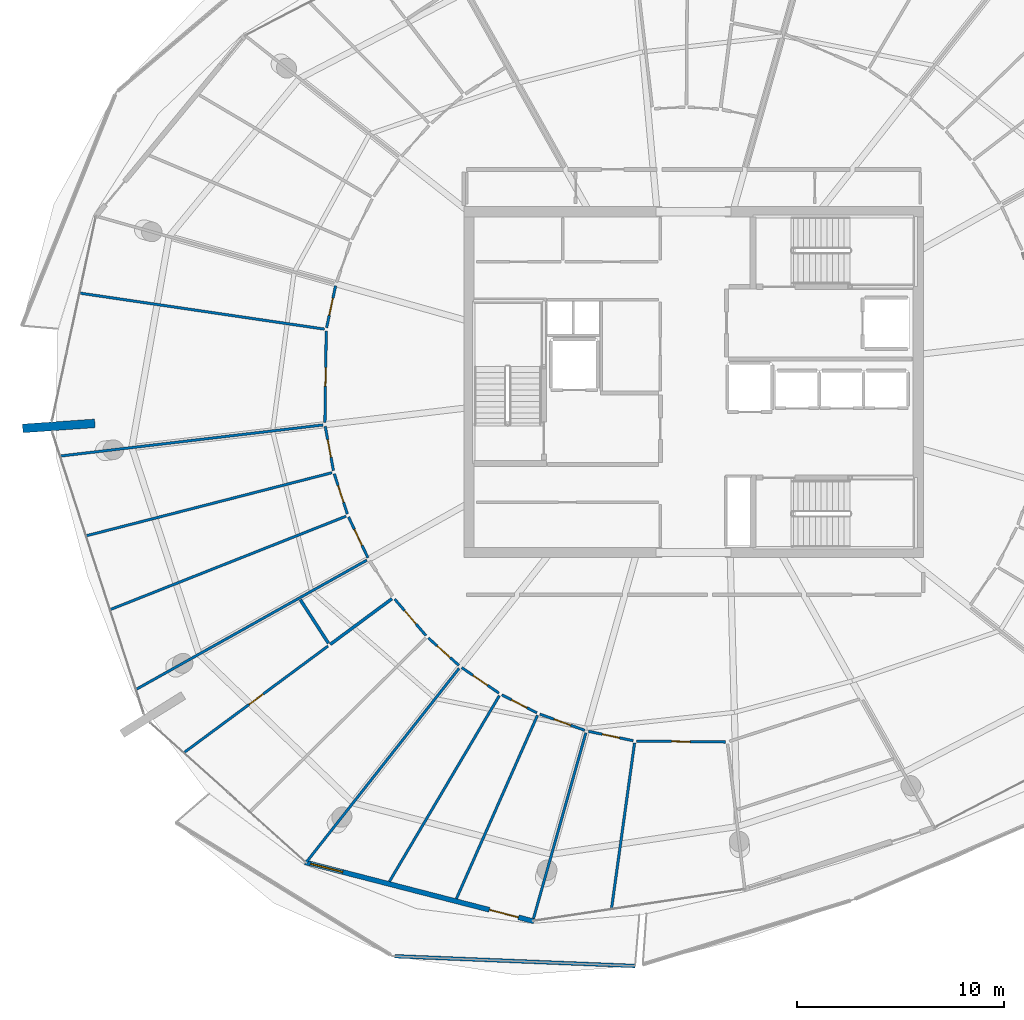
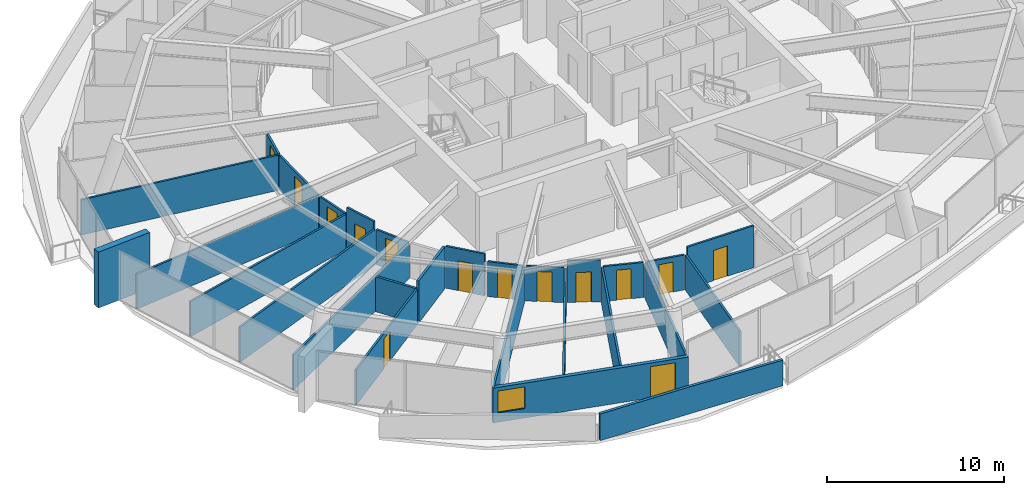
# One storey, part 18 of 30: 28 walls, 14 doors, 1 window, 15 openings.
"""IFC4 building model written with IfcOpenShell, lengths in metres."""

import ifcopenshell
import ifcopenshell.guid

model = None  # the IFC model being written
_history = None  # IfcOwnerHistory: only IFC2X3 demands one
_inside = {}  # id of a spatial element -> (the spatial element, [elements in it])
_under = {}  # id of a project, library or spatial element -> (it, [spatial elements below it])
_declared = {}  # id of a project -> (the project, [libraries it declares])
_typed = {}  # id of a type object -> (the type object, [elements of that type])
_made_of = {}  # id of a material, layer set ... -> (it, [elements and type objects made of it])


def new_model(schema):
    """Start an empty IFC model of exactly this schema.

    Asked for "IFC4X3", IfcOpenShell would pick the latest addendum, in which some entities
    have other attributes; the version numbers below select the first issue.
    IFC2X3 requires an IfcOwnerHistory on every rooted entity: one is made here for all.
    """
    global model, _history
    if schema == "IFC4X3":
        model = ifcopenshell.file(schema_version=(4, 3, 0, 0))
    else:
        model = ifcopenshell.file(schema=schema)
    _inside.clear()
    _under.clear()
    _declared.clear()
    _typed.clear()
    _made_of.clear()
    _history = None
    if model.schema == "IFC2X3":
        org = make("IfcOrganization", Name="unknown")
        user = make(
            "IfcPersonAndOrganization",
            ThePerson=make("IfcPerson", FamilyName="unknown"),
            TheOrganization=org,
        )
        app = make(
            "IfcApplication",
            ApplicationDeveloper=org,
            Version="unknown",
            ApplicationFullName="unknown",
            ApplicationIdentifier="unknown",
        )
        _history = make(
            "IfcOwnerHistory",
            OwningUser=user,
            OwningApplication=app,
            ChangeAction="ADDED",
            CreationDate=0,
        )
    return model


def make(cls, **values):
    """One entity of the class cls with the attributes given. An attribute that is None is left unset."""
    return model.create_entity(
        cls, **{name: value for name, value in values.items() if value is not None}
    )


def rooted(cls, **values):
    """An entity with a GlobalId (a new one), such as an element, a storey or a relation."""
    return make(cls, GlobalId=ifcopenshell.guid.new(), OwnerHistory=_history, **values)


def si_unit(unit_type, name, prefix=None):
    """IfcSIUnit, for example si_unit("LENGTHUNIT", "METRE", prefix="MILLI")."""
    return make("IfcSIUnit", UnitType=unit_type, Prefix=prefix, Name=name)


def assignment(units):
    """IfcUnitAssignment: the units of a project."""
    return None if units is None else make("IfcUnitAssignment", Units=units)


def point(xyz):
    """IfcCartesianPoint."""
    return None if xyz is None else make("IfcCartesianPoint", Coordinates=xyz)


def direction(xyz):
    """IfcDirection."""
    return None if xyz is None else make("IfcDirection", DirectionRatios=xyz)


def frame(location, z_axis=None, x_axis=None):
    """IfcAxis2Placement3D, a coordinate frame: its origin and axes. An axis left out is left unset."""
    return make(
        "IfcAxis2Placement3D",
        Location=point(location),
        Axis=direction(z_axis),
        RefDirection=direction(x_axis),
    )


def frame_2d(location, x_axis=None):
    """IfcAxis2Placement2D, a coordinate frame in the plane: its origin and x axis."""
    return make(
        "IfcAxis2Placement2D", Location=point(location), RefDirection=direction(x_axis)
    )


def origin():
    """The frame at (0, 0, 0) with its axes left unset."""
    return frame((0.0, 0.0, 0.0))


def place(relative_to, where):
    """IfcLocalPlacement: puts the frame where relative to a parent placement (None: the world)."""
    return make(
        "IfcLocalPlacement", PlacementRelTo=relative_to, RelativePlacement=where
    )


def context(
    kind, dimensions, precision=None, world=None, true_north=None, identifier=None
):
    """IfcGeometricRepresentationContext, for example the 3D "Model" context."""
    return make(
        "IfcGeometricRepresentationContext",
        ContextIdentifier=identifier,
        ContextType=kind,
        CoordinateSpaceDimension=dimensions,
        Precision=precision,
        WorldCoordinateSystem=world,
        TrueNorth=true_north,
    )


def subcontext(parent, identifier, kind, view, scale=None):
    """IfcGeometricRepresentationSubContext, for example "Body" below "Model"."""
    return make(
        "IfcGeometricRepresentationSubContext",
        ContextIdentifier=identifier,
        ContextType=kind,
        ParentContext=parent,
        TargetScale=scale,
        TargetView=view,
    )


def project(units=None, contexts=None):
    """IfcProject with its units and contexts."""
    return rooted(
        "IfcProject",
        Name="project",
        RepresentationContexts=contexts,
        UnitsInContext=assignment(units),
    )


def spatial(cls, under=None, at=None, **own):
    """A site, building, storey or space (cls), placed at a placement, below another one or the project."""
    s = rooted(cls, ObjectPlacement=at, **own)
    if under is not None:
        _under.setdefault(under.id(), (under, []))[1].append(s)
    return s


def polyline(points):
    """IfcPolyline through the points."""
    return make("IfcPolyline", Points=[point(p) for p in points])


def profile(cls, at=None, kind="AREA", **sizes):
    """A parametric profile (cls). Its sizes go by their IFC names, for example OverallWidth=200.0."""
    return make(cls, ProfileType=kind, Position=at, **sizes)


def rectangle(**sizes):
    """IfcRectangleProfileDef."""
    return profile("IfcRectangleProfileDef", **sizes)


def outline(outer, holes=None, kind="AREA"):
    """IfcArbitraryClosedProfileDef: a profile drawn as a closed curve; with holes, ...WithVoids."""
    if holes is None:
        return make("IfcArbitraryClosedProfileDef", ProfileType=kind, OuterCurve=outer)
    return make(
        "IfcArbitraryProfileDefWithVoids",
        ProfileType=kind,
        OuterCurve=outer,
        InnerCurves=holes,
    )


def extrude(swept, where, along, depth):
    """IfcExtrudedAreaSolid: the profile swept, set in the frame where, extruded along a direction by depth."""
    return make(
        "IfcExtrudedAreaSolid",
        SweptArea=swept,
        Position=where,
        ExtrudedDirection=direction(along),
        Depth=depth,
    )


def shape(context_of_items, identifier, shape_type, items):
    """IfcShapeRepresentation: the items that make up one representation, for example the "Body"."""
    return make(
        "IfcShapeRepresentation",
        ContextOfItems=context_of_items,
        RepresentationIdentifier=identifier,
        RepresentationType=shape_type,
        Items=items,
    )


def material(Name=None, Category=None):
    """IfcMaterial."""
    return make("IfcMaterial", Name=Name, Category=Category)


def layer(
    of_material, thickness, ventilated=None, Name=None, Category=None, Priority=None
):
    """IfcMaterialLayer: one layer of a wall or slab, of a material (None: an air gap)."""
    return make(
        "IfcMaterialLayer",
        Material=of_material,
        LayerThickness=thickness,
        IsVentilated=ventilated,
        Name=Name,
        Category=Category,
        Priority=Priority,
    )


def layer_set(layers, Name=None):
    """IfcMaterialLayerSet."""
    return make("IfcMaterialLayerSet", MaterialLayers=layers, LayerSetName=Name)


def made_of(thing, what):
    """Note that an element or type object is made of a material, layer set ...; save() writes the relation."""
    if what is not None:
        _made_of.setdefault(what.id(), (what, []))[1].append(thing)
    return thing


def type_object(cls, material=None, **own):
    """A type object (cls), such as IfcWallType, which elements share."""
    return made_of(rooted(cls, **own), material)


def element(
    cls,
    number,
    at=None,
    inside=None,
    cuts=None,
    type_object=None,
    material=None,
    context=None,
    identifier="Body",
    shape_type=None,
    held_by="IfcProductDefinitionShape",
    body=None,
    shapes=None,
    **own,
):
    """One element of the class cls, such as IfcWall. Its Tag is "e" and its number.

    at: its placement. inside: the storey or other place that contains it. cuts: it is an
    opening in that element (IfcRelVoidsElement). A single representation is given by context,
    identifier, shape_type and body (its items); several are given by shapes. held_by: the class
    of the entity that holds the representations. save() writes the other relations.
    """
    e = rooted(cls, Tag="e%d" % number, ObjectPlacement=at, **own)
    if body is not None:
        shapes = [shape(context, identifier, shape_type, body)]
    if shapes is not None:
        e.Representation = make(held_by, Representations=shapes)
    if inside is not None:
        _inside.setdefault(inside.id(), (inside, []))[1].append(e)
    if cuts is not None:
        rooted(
            "IfcRelVoidsElement", RelatingBuildingElement=cuts, RelatedOpeningElement=e
        )
    if type_object is not None:
        _typed.setdefault(type_object.id(), (type_object, []))[1].append(e)
    return made_of(e, material)


def fill(opening, filler):
    """IfcRelFillsElement: the door or window that sits in an opening."""
    return rooted(
        "IfcRelFillsElement",
        RelatingOpeningElement=opening,
        RelatedBuildingElement=filler,
    )


def aggregate(whole, parts):
    """IfcRelAggregates: a whole, such as a stair, and the parts it consists of."""
    return rooted("IfcRelAggregates", RelatingObject=whole, RelatedObjects=parts)


def save(model, path):
    """Write the relations noted so far, then the file.

    IfcRelAggregates (storeys below a building ...), IfcRelContainedInSpatialStructure (elements
    in a storey), IfcRelDefinesByType, IfcRelAssociatesMaterial and IfcRelDeclares: one each for
    every whole, place, type object, material and project.
    """
    for whole, parts in _under.values():
        aggregate(whole, parts)
    for where, things in _inside.values():
        rooted(
            "IfcRelContainedInSpatialStructure",
            RelatedElements=things,
            RelatingStructure=where,
        )
    for kind, things in _typed.values():
        rooted("IfcRelDefinesByType", RelatedObjects=things, RelatingType=kind)
    for what, things in _made_of.values():
        rooted("IfcRelAssociatesMaterial", RelatedObjects=things, RelatingMaterial=what)
    for by, libraries in _declared.values():
        rooted("IfcRelDeclares", RelatingContext=by, RelatedDefinitions=libraries)
    model.write(path)


model = new_model("IFC4")

# Units and contexts
model_context = context("Model", 3, precision=1e-05, world=origin(), true_north=direction((0.0, 1.0)))
body_context = subcontext(model_context, "Body", "Model", "MODEL_VIEW")
ifc_project = project(units=[si_unit("LENGTHUNIT", "METRE"), si_unit("AREAUNIT", "SQUARE_METRE"), si_unit("VOLUMEUNIT", "CUBIC_METRE"), si_unit("PLANEANGLEUNIT", "RADIAN"), si_unit("MASSUNIT", "GRAM", prefix="KILO")], contexts=[model_context])

# Site, building, storey
site_placement = place(None, origin())
site = spatial("IfcSite", under=ifc_project, at=site_placement, CompositionType="ELEMENT")
building_placement = place(site_placement, origin())
building = spatial("IfcBuilding", under=site, at=building_placement, Name="Kazma Halo Residences", CompositionType="ELEMENT")
storey_placement = place(building_placement, frame((0.0, 0.0, 302.14990234375)))
storey = spatial("IfcBuildingStorey", under=building, at=storey_placement, Name="L76", CompositionType="ELEMENT", Elevation=302.14990234375)

# Walls
ifc_material_1 = material(Name="White Concrete C50/60 Balustrade", Category="concrete")
ifc_layer_1 = layer(ifc_material_1, 0.179931640625)
ifc_layer_set_1 = layer_set([ifc_layer_1], Name="White Concrete C50/60 Balustrade")
wall_type_1 = type_object("IfcWallType", Name="WL-BAL-WAVE-180", PredefinedType="PARAPET", material=ifc_layer_set_1)
wall_1_placement = place(storey_placement, frame((33.958740234375, 14.2021484375, 0.0), z_axis=(0.0, 0.0, 1.0), x_axis=(0.999178647834, -0.040521965797, 0.0)))
element("IfcWall", 1, at=wall_1_placement, inside=storey, type_object=wall_type_1, Name="L76 white wave balustrade wall SW.2", PredefinedType="PARAPET", context=body_context, shape_type="SweptSolid", body=[
    extrude(outline(polyline([(0.0, 0.0), (11.652099609375, 0.0), (11.652099609375, 1.756103515625), (5.826171875, 1.85302734375), (0.0, 1.83203125), (0.0, 0.0)])), frame((0.0, 0.08984375, 0.0), z_axis=(0.0, -1.0, 0.0), x_axis=(1.0, 0.0, 0.0)), (0.0, 0.0, 1.0), 0.179931640625),
])
ifc_material_2 = material(Name="Pale Concrete C60/75", Category="concrete")
ifc_layer_2 = layer(ifc_material_2, 0.419921875)
ifc_layer_set_2 = layer_set([ifc_layer_2], Name="Pale Concrete C60/75")
wall_type_2 = type_object("IfcWallType", Name="WL-BLADE-420", PredefinedType="SOLIDWALL", material=ifc_layer_set_2)
wall_2_placement = place(storey_placement, frame((19.4375, 40.002685546875, 0.0), z_axis=(0.0, 0.0, 1.0), x_axis=(-0.997563824095, -0.069759707979, 0.0)))
element("IfcWall", 2, at=wall_2_placement, inside=storey, type_object=wall_type_2, Name="L76 pale concrete structural blade fin wall BW-02", PredefinedType="SOLIDWALL", context=body_context, shape_type="SweptSolid", body=[
    extrude(rectangle(XDim=3.499755859375, YDim=0.419921875, at=frame_2d((1.75, 0.0))), origin(), (0.0, 0.0, 1.0), 3.85009765625),
])

# Wall, openings, door, window
ifc_material_3 = material(Name="Insulated Pale-Metal Composite Wall")
ifc_layer_3 = layer(ifc_material_3, 0.239990234375)
ifc_layer_set_3 = layer_set([ifc_layer_3], Name="Insulated Pale-Metal Composite Wall")
wall_type_3 = type_object("IfcWallType", Name="WL-EXT-HOST-240", PredefinedType="SOLIDWALL", material=ifc_layer_set_3)
wall_3_placement = place(storey_placement, frame((29.613525390625, 18.7509765625, 0.0), z_axis=(0.0, 0.0, 1.0), x_axis=(0.968343758421, -0.249620442927, 0.0)))
wall_3 = element("IfcWall", 3, at=wall_3_placement, inside=storey, type_object=wall_type_3, Name="L76 exterior terrace-access wall B10", PredefinedType="SOLIDWALL", context=body_context, shape_type="SweptSolid", body=[
    extrude(rectangle(XDim=11.438232421875, YDim=0.239990234375, at=frame_2d((5.71923828125, 0.0))), origin(), (0.0, 0.0, 1.0), 2.400146484375),
])
opening_1_placement = place(wall_3_placement, frame((9.21826171875, 0.0, 0.0)))
opening_1 = element("IfcOpeningElement", 4, at=opening_1_placement, cuts=wall_3, Name="Opening DTR-1600", PredefinedType="OPENING", context=body_context, shape_type="SweptSolid", body=[
    extrude(rectangle(XDim=1.449951171875, YDim=2.14990234375, at=frame_2d((0.72509765625, 1.074951171875))), frame((0.0, 0.1298828125, 0.0), z_axis=(0.0, -1.0, 0.0), x_axis=(1.0, 0.0, 0.0)), (0.0, 0.0, 1.0), 0.260009765625),
])
opening_2_placement = place(wall_3_placement, frame((0.280029296875, 0.0, 0.64990234375)))
opening_2 = element("IfcOpeningElement", 5, at=opening_2_placement, cuts=wall_3, Name="Opening W-1800", PredefinedType="OPENING", context=body_context, shape_type="SweptSolid", body=[
    extrude(rectangle(XDim=1.60009765625, YDim=1.5, at=frame_2d((0.800048828125, 0.75))), frame((0.0, 0.1298828125, 0.0), z_axis=(0.0, -1.0, 0.0), x_axis=(1.0, 0.0, 0.0)), (0.0, 0.0, 1.0), 0.260009765625),
])
ifc_material_4 = material(Name="Aluminium AW-6063 T6 Double-Glazed Terrace Door", Category="aluminium")
door_type_1 = type_object("IfcDoorType", Name="DR-EXT-TERR-1600", OperationType="NOTDEFINED", PredefinedType="DOOR", material=ifc_material_4)
door_1_placement = place(opening_1_placement, origin())
door_1 = element("IfcDoor", 6, at=door_1_placement, inside=storey, type_object=door_type_1, Name="L76 B10 balcony terrace door", OperationType="DOUBLE_DOOR_SLIDING", OverallHeight=2.14990234375, OverallWidth=1.449951171875, PredefinedType="DOOR", context=body_context, shape_type="SweptSolid", body=[
    extrude(rectangle(XDim=1.449951171875, YDim=2.14990234375, at=frame_2d((0.72509765625, 1.074951171875))), frame((0.0, 0.02490234375, 0.0), z_axis=(0.0, -1.0, 0.0), x_axis=(1.0, 0.0, 0.0)), (0.0, 0.0, 1.0), 0.050048828125),
])
fill(opening_1, door_1)
ifc_material_5 = material(Name="Clear Triple-Silver Low-E Glass in Aluminium AW-6063 T6 Frame", Category="aluminium")
window_type = type_object("IfcWindowType", Name="WIN-RES-1800", PartitioningType="DOUBLE_PANEL_VERTICAL", PredefinedType="WINDOW", material=ifc_material_5)
window_placement = place(opening_2_placement, origin())
window = element("IfcWindow", 7, at=window_placement, inside=storey, type_object=window_type, Name="L76 B10 apartment window", OverallHeight=1.5, OverallWidth=1.60009765625, PartitioningType="SINGLE_PANEL", PredefinedType="WINDOW", context=body_context, shape_type="SweptSolid", body=[
    extrude(rectangle(XDim=1.60009765625, YDim=1.5, at=frame_2d((0.800048828125, 0.75))), frame((0.0, 0.030029296875, 0.0), z_axis=(0.0, -1.0, 0.0), x_axis=(1.0, 0.0, 0.0)), (0.0, 0.0, 1.0), 0.06005859375),
])
fill(opening_2, window)

# Wall
ifc_material_6 = material(Name="Gypsum Plasterboard Partition")
ifc_layer_4 = layer(ifc_material_6, 0.125)
ifc_layer_set_4 = layer_set([ifc_layer_4], Name="Gypsum Plasterboard Partition")
wall_type_4 = type_object("IfcWallType", Name="WL-PART-125", PredefinedType="PARTITIONING", material=ifc_layer_set_4)
wall_4_placement = place(storey_placement, frame((30.552001953125, 44.567138671875, 0.0), z_axis=(0.0, 0.0, 1.0), x_axis=(-0.989347294762, 0.145574483849, 0.0)))
element("IfcWall", 8, at=wall_4_placement, inside=storey, type_object=wall_type_4, Name="L76 Apartment 2 mid-bay wall 6", PredefinedType="PARTITIONING", context=body_context, shape_type="SweptSolid", body=[
    extrude(rectangle(XDim=11.962646484375, YDim=0.125, at=frame_2d((5.9814453125, 0.0))), origin(), (0.0, 0.0, 1.0), 2.425048828125),
])

# Wall, opening, door
wall_5_placement = place(storey_placement, frame((31.091796875, 46.664794921875, 0.0), z_axis=(0.0, 0.0, 1.0), x_axis=(-0.208863180958, -0.977944871473, 0.0)))
wall_5 = element("IfcWall", 9, at=wall_5_placement, inside=storey, type_object=wall_type_4, Name="L76 Apartment 2 Outer Wine Pantry Store hall wall", PredefinedType="PARTITIONING", context=body_context, shape_type="SweptSolid", body=[
    extrude(rectangle(XDim=2.078369140625, YDim=0.125, at=frame_2d((1.0390625, 0.0))), origin(), (0.0, 0.0, 1.0), 2.406982421875),
])
opening_3_placement = place(wall_5_placement, frame((0.6142578125, 0.0, 0.0)))
opening_3 = element("IfcOpeningElement", 10, at=opening_3_placement, cuts=wall_5, Name="Opening DB-900", PredefinedType="OPENING", context=body_context, shape_type="SweptSolid", body=[
    extrude(rectangle(XDim=0.85009765625, YDim=2.06005859375, at=frame_2d((0.425048828125, 1.030029296875))), frame((0.0, 0.072509765625, 0.0), z_axis=(0.0, -1.0, 0.0), x_axis=(1.0, 0.0, 0.0)), (0.0, 0.0, 1.0), 0.14501953125),
])
ifc_material_7 = material(Name="Moisture-Sealed Timber Leaf", Category="wood")
door_type_2 = type_object("IfcDoorType", Name="DR-BTH-900", OperationType="NOTDEFINED", PredefinedType="DOOR", material=ifc_material_7)
door_2_placement = place(opening_3_placement, origin())
door_2 = element("IfcDoor", 11, at=door_2_placement, inside=storey, type_object=door_type_2, Name="L76 Apartment 2 Outer Wine Pantry Store door", OperationType="SINGLE_SWING_LEFT", OverallHeight=2.06005859375, OverallWidth=0.85009765625, PredefinedType="DOOR", context=body_context, shape_type="SweptSolid", body=[
    extrude(rectangle(XDim=0.85009765625, YDim=2.06005859375, at=frame_2d((0.425048828125, 1.030029296875))), frame((0.0, 0.02490234375, 0.0), z_axis=(0.0, -1.0, 0.0), x_axis=(1.0, 0.0, 0.0)), (0.0, 0.0, 1.0), 0.050048828125),
])
fill(opening_3, door_2)

wall_6_placement = place(storey_placement, frame((30.639892578125, 44.47412109375, 0.0), z_axis=(0.0, 0.0, 1.0), x_axis=(-0.014196236018, -0.999899228364, 0.0)))
wall_6 = element("IfcWall", 12, at=wall_6_placement, inside=storey, type_object=wall_type_4, Name="L76 Apartment 2 Corner Formal Dining Room hall wall", PredefinedType="PARTITIONING", context=body_context, shape_type="SweptSolid", body=[
    extrude(rectangle(XDim=4.43701171875, YDim=0.125, at=frame_2d((2.218505859375, 0.0))), origin(), (0.0, 0.0, 1.0), 2.406982421875),
])
opening_4_placement = place(wall_6_placement, frame((1.768310546875, 0.0, 0.0)))
opening_4 = element("IfcOpeningElement", 13, at=opening_4_placement, cuts=wall_6, Name="Opening DI-950", PredefinedType="OPENING", context=body_context, shape_type="SweptSolid", body=[
    extrude(rectangle(XDim=0.89990234375, YDim=2.080078125, at=frame_2d((0.449951171875, 1.0400390625))), frame((0.0, 0.072509765625, 0.0), z_axis=(0.0, -1.0, 0.0), x_axis=(1.0, 0.0, 0.0)), (0.0, 0.0, 1.0), 0.14501953125),
])
ifc_material_8 = material(Name="Timber Veneer Flush Leaf", Category="wood")
door_type_3 = type_object("IfcDoorType", Name="DR-INT-950", OperationType="NOTDEFINED", PredefinedType="DOOR", material=ifc_material_8)
door_3_placement = place(opening_4_placement, origin())
door_3 = element("IfcDoor", 14, at=door_3_placement, inside=storey, type_object=door_type_3, Name="L76 Apartment 2 Corner Formal Dining Room door", OperationType="SINGLE_SWING_RIGHT", OverallHeight=2.080078125, OverallWidth=0.89990234375, PredefinedType="DOOR", context=body_context, shape_type="SweptSolid", body=[
    extrude(rectangle(XDim=0.89990234375, YDim=2.080078125, at=frame_2d((0.449951171875, 1.0400390625))), frame((0.0, 0.02490234375, 0.0), z_axis=(0.0, -1.0, 0.0), x_axis=(1.0, 0.0, 0.0)), (0.0, 0.0, 1.0), 0.050048828125),
])
fill(opening_4, door_3)

# Walls
wall_7_placement = place(storey_placement, frame((30.476318359375, 39.92578125, 0.0), z_axis=(0.0, 0.0, 1.0), x_axis=(-0.993069543008, -0.117528221075, 0.0)))
element("IfcWall", 15, at=wall_7_placement, inside=storey, type_object=wall_type_4, Name="L76 Apartment 2 radial partition 7", PredefinedType="PARTITIONING", context=body_context, shape_type="SweptSolid", body=[
    extrude(rectangle(XDim=12.78369140625, YDim=0.125, at=frame_2d((6.391845703125, 0.0))), origin(), (0.0, 0.0, 1.0), 2.406982421875),
])
for number, where, z_axis, x_axis, name in (
    (16, (30.91796875, 37.614013671875, 0.0), (0.0, 0.0, 1.0), (-0.968583522114, -0.248688481217, 0.0), "L76 Apartment 2 bay wall 1 7"),
    (17, (31.602294921875, 35.5078125, 0.0), (0.0, 0.0, 1.0), (-0.929772130707, -0.368135552427, 0.0), "L76 Apartment 2 bay wall 2 7"),
):
    element("IfcWall", number, at=place(storey_placement, frame(where, z_axis=z_axis, x_axis=x_axis)), inside=storey, type_object=wall_type_4, Name=name, PredefinedType="PARTITIONING", context=body_context, shape_type="SweptSolid", body=[
        extrude(rectangle(XDim=12.267578125, YDim=0.125, at=frame_2d((6.1337890625, 0.0))), origin(), (0.0, 0.0, 1.0), 2.425048828125),
    ])

# Wall, opening, door
wall_8_placement = place(storey_placement, frame((30.59033203125, 39.859130859375, 0.0), z_axis=(0.0, 0.0, 1.0), x_axis=(0.183463941639, -0.983026440193, 0.0)))
wall_8 = element("IfcWall", 18, at=wall_8_placement, inside=storey, type_object=wall_type_4, Name="L76 Apartment 2 Gulf Master Bedroom hall wall", PredefinedType="PARTITIONING", context=body_context, shape_type="SweptSolid", body=[
    extrude(rectangle(XDim=2.18115234375, YDim=0.125, at=frame_2d((1.090576171875, 0.0))), origin(), (0.0, 0.0, 1.0), 2.406982421875),
])
opening_5_placement = place(wall_8_placement, frame((0.66552734375, 0.0, 0.0)))
opening_5 = element("IfcOpeningElement", 19, at=opening_5_placement, cuts=wall_8, Name="Opening DB-900", PredefinedType="OPENING", context=body_context, shape_type="SweptSolid", body=[
    extrude(rectangle(XDim=0.85009765625, YDim=2.06005859375, at=frame_2d((0.425048828125, 1.030029296875))), frame((0.0, 0.072509765625, 0.0), z_axis=(0.0, -1.0, 0.0), x_axis=(1.0, 0.0, 0.0)), (0.0, 0.0, 1.0), 0.14501953125),
])
door_4_placement = place(opening_5_placement, origin())
door_4 = element("IfcDoor", 20, at=door_4_placement, inside=storey, type_object=door_type_2, Name="L76 Apartment 2 Gulf Master Bedroom door", OperationType="SINGLE_SWING_LEFT", OverallHeight=2.06005859375, OverallWidth=0.85009765625, PredefinedType="DOOR", context=body_context, shape_type="SweptSolid", body=[
    extrude(rectangle(XDim=0.85009765625, YDim=2.06005859375, at=frame_2d((0.425048828125, 1.030029296875))), frame((0.0, 0.02490234375, 0.0), z_axis=(0.0, -1.0, 0.0), x_axis=(1.0, 0.0, 0.0)), (0.0, 0.0, 1.0), 0.050048828125),
])
fill(opening_5, door_4)

wall_9_placement = place(storey_placement, frame((31.02978515625, 37.560302734375, 0.0), z_axis=(0.0, 0.0, 1.0), x_axis=(0.309086072338, -0.951034068731, 0.0)))
wall_9 = element("IfcWall", 21, at=wall_9_placement, inside=storey, type_object=wall_type_4, Name="L76 Apartment 2 Primary Dressing Wardrobe hall wall", PredefinedType="PARTITIONING", context=body_context, shape_type="SweptSolid", body=[
    extrude(rectangle(XDim=2.04345703125, YDim=0.125, at=frame_2d((1.021728515625, 0.0))), origin(), (0.0, 0.0, 1.0), 2.89013671875),
])
opening_6_placement = place(wall_9_placement, frame((0.5966796875, 0.0, 0.0)))
opening_6 = element("IfcOpeningElement", 22, at=opening_6_placement, cuts=wall_9, Name="Opening DB-900", PredefinedType="OPENING", context=body_context, shape_type="SweptSolid", body=[
    extrude(rectangle(XDim=0.85009765625, YDim=2.06005859375, at=frame_2d((0.425048828125, 1.030029296875))), frame((0.0, 0.072509765625, 0.0), z_axis=(0.0, -1.0, 0.0), x_axis=(1.0, 0.0, 0.0)), (0.0, 0.0, 1.0), 0.14501953125),
])
door_5_placement = place(opening_6_placement, origin())
door_5 = element("IfcDoor", 23, at=door_5_placement, inside=storey, type_object=door_type_2, Name="L76 Apartment 2 Primary Dressing Wardrobe door", OperationType="SINGLE_SWING_RIGHT", OverallHeight=2.06005859375, OverallWidth=0.85009765625, PredefinedType="DOOR", context=body_context, shape_type="SweptSolid", body=[
    extrude(rectangle(XDim=0.85009765625, YDim=2.06005859375, at=frame_2d((0.425048828125, 1.030029296875))), frame((0.0, 0.02490234375, 0.0), z_axis=(0.0, -1.0, 0.0), x_axis=(1.0, 0.0, 0.0)), (0.0, 0.0, 1.0), 0.050048828125),
])
fill(opening_6, door_5)

wall_10_placement = place(storey_placement, frame((31.720458984375, 35.468505859375, 0.0), z_axis=(0.0, 0.0, 1.0), x_axis=(0.429438123799, -0.903096283808, 0.0)))
wall_10 = element("IfcWall", 24, at=wall_10_placement, inside=storey, type_object=wall_type_4, Name="L76 Apartment 2 Secondary Master Bedroom hall wall", PredefinedType="PARTITIONING", context=body_context, shape_type="SweptSolid", body=[
    extrude(rectangle(XDim=2.180908203125, YDim=0.125, at=frame_2d((1.09033203125, 0.0))), origin(), (0.0, 0.0, 1.0), 2.406982421875),
])
opening_7_placement = place(wall_10_placement, frame((0.66552734375, 0.0, 0.0)))
opening_7 = element("IfcOpeningElement", 25, at=opening_7_placement, cuts=wall_10, Name="Opening DB-900", PredefinedType="OPENING", context=body_context, shape_type="SweptSolid", body=[
    extrude(rectangle(XDim=0.85009765625, YDim=2.06005859375, at=frame_2d((0.425048828125, 1.030029296875))), frame((0.0, 0.072509765625, 0.0), z_axis=(0.0, -1.0, 0.0), x_axis=(1.0, 0.0, 0.0)), (0.0, 0.0, 1.0), 0.14501953125),
])
door_6_placement = place(opening_7_placement, origin())
door_6 = element("IfcDoor", 26, at=door_6_placement, inside=storey, type_object=door_type_2, Name="L76 Apartment 2 Secondary Master Bedroom door", OperationType="SINGLE_SWING_LEFT", OverallHeight=2.06005859375, OverallWidth=0.85009765625, PredefinedType="DOOR", context=body_context, shape_type="SweptSolid", body=[
    extrude(rectangle(XDim=0.85009765625, YDim=2.06005859375, at=frame_2d((0.425048828125, 1.030029296875))), frame((0.0, 0.02490234375, 0.0), z_axis=(0.0, -1.0, 0.0), x_axis=(1.0, 0.0, 0.0)), (0.0, 0.0, 1.0), 0.050048828125),
])
fill(opening_7, door_6)

# Wall
wall_11_placement = place(storey_placement, frame((32.60400390625, 33.377685546875, 0.0), z_axis=(0.0, 0.0, 1.0), x_axis=(-0.872499176967, -0.4886155812, 0.0)))
element("IfcWall", 27, at=wall_11_placement, inside=storey, type_object=wall_type_4, Name="L76 Apartment 2 radial partition 8", PredefinedType="PARTITIONING", context=body_context, shape_type="SweptSolid", body=[
    extrude(rectangle(XDim=12.78369140625, YDim=0.125, at=frame_2d((6.391845703125, 0.0))), origin(), (0.0, 0.0, 1.0), 2.406982421875),
])

# Wall, opening, door
wall_12_placement = place(storey_placement, frame((30.727294921875, 29.22119140625, 0.0), z_axis=(0.0, 0.0, 1.0), x_axis=(-0.803897389867, -0.594768010711, 0.0)))
wall_12 = element("IfcWall", 28, at=wall_12_placement, inside=storey, type_object=wall_type_4, Name="L76 Apartment 2 West Walk-In Wardrobe partition wall", PredefinedType="PARTITIONING", context=body_context, shape_type="SweptSolid", body=[
    extrude(rectangle(XDim=8.6669921875, YDim=0.125, at=frame_2d((4.33349609375, 0.0))), origin(), (0.0, 0.0, 1.0), 2.425048828125),
])
opening_8_placement = place(wall_12_placement, frame((3.908447265625, 0.0, 0.0)))
opening_8 = element("IfcOpeningElement", 29, at=opening_8_placement, cuts=wall_12, Name="Opening DB-900", PredefinedType="OPENING", context=body_context, shape_type="SweptSolid", body=[
    extrude(rectangle(XDim=0.85009765625, YDim=2.06005859375, at=frame_2d((0.425048828125, 1.030029296875))), frame((0.0, 0.072509765625, 0.0), z_axis=(0.0, -1.0, 0.0), x_axis=(1.0, 0.0, 0.0)), (0.0, 0.0, 1.0), 0.14501953125),
])
door_7_placement = place(opening_8_placement, origin())
door_7 = element("IfcDoor", 30, at=door_7_placement, inside=storey, type_object=door_type_2, Name="L76 Apartment 2 West Walk-In Wardrobe door", OperationType="SINGLE_SWING_RIGHT", OverallHeight=2.06005859375, OverallWidth=0.85009765625, PredefinedType="DOOR", context=body_context, shape_type="SweptSolid", body=[
    extrude(rectangle(XDim=0.85009765625, YDim=2.06005859375, at=frame_2d((0.425048828125, 1.030029296875))), frame((0.0, 0.02490234375, 0.0), z_axis=(0.0, -1.0, 0.0), x_axis=(1.0, 0.0, 0.0)), (0.0, 0.0, 1.0), 0.050048828125),
])
fill(opening_8, door_7)

wall_13_placement = place(storey_placement, frame((33.953125, 31.49609375, 0.0), z_axis=(0.0, 0.0, 1.0), x_axis=(0.650445718184, -0.759552741879, 0.0)))
wall_13 = element("IfcWall", 31, at=wall_13_placement, inside=storey, type_object=wall_type_4, Name="L76 Apartment 2 North Formal Dining Room hall wall", PredefinedType="PARTITIONING", context=body_context, shape_type="SweptSolid", body=[
    extrude(rectangle(XDim=2.3271484375, YDim=0.125, at=frame_2d((1.16357421875, 0.0))), origin(), (0.0, 0.0, 1.0), 2.89013671875),
])
opening_9_placement = place(wall_13_placement, frame((0.738525390625, 0.0, 0.0)))
opening_9 = element("IfcOpeningElement", 32, at=opening_9_placement, cuts=wall_13, Name="Opening DB-900", PredefinedType="OPENING", context=body_context, shape_type="SweptSolid", body=[
    extrude(rectangle(XDim=0.85009765625, YDim=2.06005859375, at=frame_2d((0.425048828125, 1.030029296875))), frame((0.0, 0.072509765625, 0.0), z_axis=(0.0, -1.0, 0.0), x_axis=(1.0, 0.0, 0.0)), (0.0, 0.0, 1.0), 0.14501953125),
])
door_8_placement = place(opening_9_placement, origin())
door_8 = element("IfcDoor", 33, at=door_8_placement, inside=storey, type_object=door_type_2, Name="L76 Apartment 2 North Formal Dining Room door", OperationType="SINGLE_SWING_LEFT", OverallHeight=2.06005859375, OverallWidth=0.85009765625, PredefinedType="DOOR", context=body_context, shape_type="SweptSolid", body=[
    extrude(rectangle(XDim=0.85009765625, YDim=2.06005859375, at=frame_2d((0.425048828125, 1.030029296875))), frame((0.0, 0.02490234375, 0.0), z_axis=(0.0, -1.0, 0.0), x_axis=(1.0, 0.0, 0.0)), (0.0, 0.0, 1.0), 0.050048828125),
])
fill(opening_9, door_8)

wall_14_placement = place(storey_placement, frame((35.57861328125, 29.614501953125, 0.0), z_axis=(0.0, 0.0, 1.0), x_axis=(0.745430501582, -0.666583353611, 0.0)))
wall_14 = element("IfcWall", 34, at=wall_14_placement, inside=storey, type_object=wall_type_4, Name="L76 Apartment 2 South Master Bedroom hall wall", PredefinedType="PARTITIONING", context=body_context, shape_type="SweptSolid", body=[
    extrude(rectangle(XDim=1.990966796875, YDim=0.125, at=frame_2d((0.99560546875, 0.0))), origin(), (0.0, 0.0, 1.0), 2.406982421875),
])
opening_10_placement = place(wall_14_placement, frame((0.570556640625, 0.0, 0.0)))
opening_10 = element("IfcOpeningElement", 35, at=opening_10_placement, cuts=wall_14, Name="Opening DB-900", PredefinedType="OPENING", context=body_context, shape_type="SweptSolid", body=[
    extrude(rectangle(XDim=0.85009765625, YDim=2.06005859375, at=frame_2d((0.425048828125, 1.030029296875))), frame((0.0, 0.072509765625, 0.0), z_axis=(0.0, -1.0, 0.0), x_axis=(1.0, 0.0, 0.0)), (0.0, 0.0, 1.0), 0.14501953125),
])
door_9_placement = place(opening_10_placement, origin())
door_9 = element("IfcDoor", 36, at=door_9_placement, inside=storey, type_object=door_type_2, Name="L76 Apartment 2 South Master Bedroom door", OperationType="SINGLE_SWING_RIGHT", OverallHeight=2.06005859375, OverallWidth=0.85009765625, PredefinedType="DOOR", context=body_context, shape_type="SweptSolid", body=[
    extrude(rectangle(XDim=0.85009765625, YDim=2.06005859375, at=frame_2d((0.425048828125, 1.030029296875))), frame((0.0, 0.02490234375, 0.0), z_axis=(0.0, -1.0, 0.0), x_axis=(1.0, 0.0, 0.0)), (0.0, 0.0, 1.0), 0.050048828125),
])
fill(opening_10, door_9)

# Walls
wall_15_placement = place(storey_placement, frame((37.075439453125, 28.142333984375, 0.0), z_axis=(0.0, 0.0, 1.0), x_axis=(-0.619092993306, -0.785317684532, 0.0)))
element("IfcWall", 37, at=wall_15_placement, inside=storey, type_object=wall_type_4, Name="L76 Apartment 2 radial partition 9", PredefinedType="PARTITIONING", context=body_context, shape_type="SweptSolid", body=[
    extrude(rectangle(XDim=11.94970703125, YDim=0.125, at=frame_2d((5.974853515625, 0.0))), origin(), (0.0, 0.0, 1.0), 2.406982421875),
])
wall_16_placement = place(storey_placement, frame((39.022705078125, 26.81982421875, 0.0), z_axis=(0.0, 0.0, 1.0), x_axis=(-0.509062861768, -0.860729343504, 0.0)))
element("IfcWall", 38, at=wall_16_placement, inside=storey, type_object=wall_type_4, Name="L76 Apartment 2 bay wall 1 9", PredefinedType="PARTITIONING", context=body_context, shape_type="SweptSolid", body=[
    extrude(rectangle(XDim=10.45458984375, YDim=0.125, at=frame_2d((5.227294921875, 0.0))), origin(), (0.0, 0.0, 1.0), 2.425048828125),
])
wall_17_placement = place(storey_placement, frame((40.868896484375, 25.8701171875, 0.0), z_axis=(0.0, 0.0, 1.0), x_axis=(-0.404320387239, -0.914617419724, 0.0)))
element("IfcWall", 39, at=wall_17_placement, inside=storey, type_object=wall_type_4, Name="L76 Apartment 2 bay wall 2 9", PredefinedType="PARTITIONING", context=body_context, shape_type="SweptSolid", body=[
    extrude(rectangle(XDim=9.710205078125, YDim=0.125, at=frame_2d((4.85498046875, 0.0))), origin(), (0.0, 0.0, 1.0), 2.425048828125),
])

# Wall, opening, door
wall_18_placement = place(storey_placement, frame((37.203369140625, 28.175537109375, 0.0), z_axis=(0.0, 0.0, 1.0), x_axis=(0.824886940505, -0.565297740474, 0.0)))
wall_18 = element("IfcWall", 40, at=wall_18_placement, inside=storey, type_object=wall_type_4, Name="L76 Apartment 2 Corner Bedroom hall wall", PredefinedType="PARTITIONING", context=body_context, shape_type="SweptSolid", body=[
    extrude(rectangle(XDim=2.180908203125, YDim=0.125, at=frame_2d((1.09033203125, 0.0))), origin(), (0.0, 0.0, 1.0), 2.406982421875),
])
opening_11_placement = place(wall_18_placement, frame((0.66552734375, 0.0, 0.0)))
opening_11 = element("IfcOpeningElement", 41, at=opening_11_placement, cuts=wall_18, Name="Opening DB-900", PredefinedType="OPENING", context=body_context, shape_type="SweptSolid", body=[
    extrude(rectangle(XDim=0.85009765625, YDim=2.06005859375, at=frame_2d((0.425048828125, 1.030029296875))), frame((0.0, 0.072509765625, 0.0), z_axis=(0.0, -1.0, 0.0), x_axis=(1.0, 0.0, 0.0)), (0.0, 0.0, 1.0), 0.14501953125),
])
door_10_placement = place(opening_11_placement, origin())
door_10 = element("IfcDoor", 42, at=door_10_placement, inside=storey, type_object=door_type_2, Name="L76 Apartment 2 Corner Bedroom door", OperationType="SINGLE_SWING_LEFT", OverallHeight=2.06005859375, OverallWidth=0.85009765625, PredefinedType="DOOR", context=body_context, shape_type="SweptSolid", body=[
    extrude(rectangle(XDim=0.85009765625, YDim=2.06005859375, at=frame_2d((0.425048828125, 1.030029296875))), frame((0.0, 0.02490234375, 0.0), z_axis=(0.0, -1.0, 0.0), x_axis=(1.0, 0.0, 0.0)), (0.0, 0.0, 1.0), 0.050048828125),
])
fill(opening_11, door_10)

wall_19_placement = place(storey_placement, frame((39.139404296875, 26.86083984375, 0.0), z_axis=(0.0, 0.0, 1.0), x_axis=(0.889244630973, -0.457431947163, 0.0)))
wall_19 = element("IfcWall", 43, at=wall_19_placement, inside=storey, type_object=wall_type_4, Name="L76 Apartment 2 Garden Study hall wall", PredefinedType="PARTITIONING", context=body_context, shape_type="SweptSolid", body=[
    extrude(rectangle(XDim=1.906005859375, YDim=0.125, at=frame_2d((0.953125, 0.0))), origin(), (0.0, 0.0, 1.0), 2.89013671875),
])
opening_12_placement = place(wall_19_placement, frame((0.528076171875, 0.0, 0.0)))
opening_12 = element("IfcOpeningElement", 44, at=opening_12_placement, cuts=wall_19, Name="Opening DB-900", PredefinedType="OPENING", context=body_context, shape_type="SweptSolid", body=[
    extrude(rectangle(XDim=0.85009765625, YDim=2.06005859375, at=frame_2d((0.425048828125, 1.030029296875))), frame((0.0, 0.072509765625, 0.0), z_axis=(0.0, -1.0, 0.0), x_axis=(1.0, 0.0, 0.0)), (0.0, 0.0, 1.0), 0.14501953125),
])
door_11_placement = place(opening_12_placement, origin())
door_11 = element("IfcDoor", 45, at=door_11_placement, inside=storey, type_object=door_type_2, Name="L76 Apartment 2 Garden Study door", OperationType="SINGLE_SWING_RIGHT", OverallHeight=2.06005859375, OverallWidth=0.85009765625, PredefinedType="DOOR", context=body_context, shape_type="SweptSolid", body=[
    extrude(rectangle(XDim=0.85009765625, YDim=2.06005859375, at=frame_2d((0.425048828125, 1.030029296875))), frame((0.0, 0.02490234375, 0.0), z_axis=(0.0, -1.0, 0.0), x_axis=(1.0, 0.0, 0.0)), (0.0, 0.0, 1.0), 0.050048828125),
])
fill(opening_12, door_11)

wall_20_placement = place(storey_placement, frame((40.980712890625, 25.92529296875, 0.0), z_axis=(0.0, 0.0, 1.0), x_axis=(0.940873987353, -0.338756756275, 0.0)))
wall_20 = element("IfcWall", 46, at=wall_20_placement, inside=storey, type_object=wall_type_4, Name="L76 Apartment 2 Sky Bedroom hall wall", PredefinedType="PARTITIONING", context=body_context, shape_type="SweptSolid", body=[
    extrude(rectangle(XDim=2.318359375, YDim=0.125, at=frame_2d((1.1591796875, 0.0))), origin(), (0.0, 0.0, 1.0), 2.406982421875),
])
opening_13_placement = place(wall_20_placement, frame((0.734130859375, 0.0, 0.0)))
opening_13 = element("IfcOpeningElement", 47, at=opening_13_placement, cuts=wall_20, Name="Opening DB-900", PredefinedType="OPENING", context=body_context, shape_type="SweptSolid", body=[
    extrude(rectangle(XDim=0.85009765625, YDim=2.06005859375, at=frame_2d((0.425048828125, 1.030029296875))), frame((0.0, 0.072509765625, 0.0), z_axis=(0.0, -1.0, 0.0), x_axis=(1.0, 0.0, 0.0)), (0.0, 0.0, 1.0), 0.14501953125),
])
door_12_placement = place(opening_13_placement, origin())
door_12 = element("IfcDoor", 48, at=door_12_placement, inside=storey, type_object=door_type_2, Name="L76 Apartment 2 Sky Bedroom door", OperationType="SINGLE_SWING_LEFT", OverallHeight=2.06005859375, OverallWidth=0.85009765625, PredefinedType="DOOR", context=body_context, shape_type="SweptSolid", body=[
    extrude(rectangle(XDim=0.85009765625, YDim=2.06005859375, at=frame_2d((0.425048828125, 1.030029296875))), frame((0.0, 0.02490234375, 0.0), z_axis=(0.0, -1.0, 0.0), x_axis=(1.0, 0.0, 0.0)), (0.0, 0.0, 1.0), 0.050048828125),
])
fill(opening_13, door_12)

# Walls
wall_21_placement = place(storey_placement, frame((43.210205078125, 25.0166015625, 0.0), z_axis=(0.0, 0.0, 1.0), x_axis=(-0.271442778767, -0.962454579632, 0.0)))
element("IfcWall", 49, at=wall_21_placement, inside=storey, type_object=wall_type_4, Name="L76 Apartment 2 radial partition 10", PredefinedType="PARTITIONING", context=body_context, shape_type="SweptSolid", body=[
    extrude(rectangle(XDim=9.338623046875, YDim=0.125, at=frame_2d((4.66943359375, 0.0))), origin(), (0.0, 0.0, 1.0), 2.406982421875),
])
wall_22_placement = place(storey_placement, frame((45.56982421875, 24.5322265625, 0.0), z_axis=(0.0, 0.0, 1.0), x_axis=(-0.13776787299, -0.990464544127, 0.0)))
element("IfcWall", 50, at=wall_22_placement, inside=storey, type_object=wall_type_4, Name="L76 Apartment 2 mid-bay wall 10", PredefinedType="PARTITIONING", context=body_context, shape_type="SweptSolid", body=[
    extrude(rectangle(XDim=8.10400390625, YDim=0.125, at=frame_2d((4.052001953125, 0.0))), origin(), (0.0, 0.0, 1.0), 2.425048828125),
])

# Wall, opening, door
wall_23_placement = place(storey_placement, frame((43.335205078125, 25.09228515625, 0.0), z_axis=(0.0, 0.0, 1.0), x_axis=(0.978729440293, -0.205155264868, 0.0)))
wall_23 = element("IfcWall", 51, at=wall_23_placement, inside=storey, type_object=wall_type_4, Name="L76 Apartment 2 Gulf Wine Pantry Store hall wall", PredefinedType="PARTITIONING", context=body_context, shape_type="SweptSolid", body=[
    extrude(rectangle(XDim=2.2158203125, YDim=0.125, at=frame_2d((1.10791015625, 0.0))), origin(), (0.0, 0.0, 1.0), 2.406982421875),
])
opening_14_placement = place(wall_23_placement, frame((0.68310546875, 0.0, 0.0)))
opening_14 = element("IfcOpeningElement", 52, at=opening_14_placement, cuts=wall_23, Name="Opening DB-900", PredefinedType="OPENING", context=body_context, shape_type="SweptSolid", body=[
    extrude(rectangle(XDim=0.85009765625, YDim=2.06005859375, at=frame_2d((0.425048828125, 1.030029296875))), frame((0.0, 0.072509765625, 0.0), z_axis=(0.0, -1.0, 0.0), x_axis=(1.0, 0.0, 0.0)), (0.0, 0.0, 1.0), 0.14501953125),
])
door_13_placement = place(opening_14_placement, origin())
door_13 = element("IfcDoor", 53, at=door_13_placement, inside=storey, type_object=door_type_2, Name="L76 Apartment 2 Gulf Wine Pantry Store door", OperationType="SINGLE_SWING_LEFT", OverallHeight=2.06005859375, OverallWidth=0.85009765625, PredefinedType="DOOR", context=body_context, shape_type="SweptSolid", body=[
    extrude(rectangle(XDim=0.85009765625, YDim=2.06005859375, at=frame_2d((0.425048828125, 1.030029296875))), frame((0.0, 0.02490234375, 0.0), z_axis=(0.0, -1.0, 0.0), x_axis=(1.0, 0.0, 0.0)), (0.0, 0.0, 1.0), 0.050048828125),
])
fill(opening_14, door_13)

wall_24_placement = place(storey_placement, frame((45.662353515625, 24.62060546875, 0.0), z_axis=(0.0, 0.0, 1.0), x_axis=(0.99994778271, -0.010219190421, 0.0)))
wall_24 = element("IfcWall", 54, at=wall_24_placement, inside=storey, type_object=wall_type_4, Name="L76 Apartment 2 Primary Formal Dining Room hall wall", PredefinedType="PARTITIONING", context=body_context, shape_type="SweptSolid", body=[
    extrude(rectangle(XDim=4.30029296875, YDim=0.125, at=frame_2d((2.150146484375, 0.0))), origin(), (0.0, 0.0, 1.0), 2.89013671875),
])
opening_15_placement = place(wall_24_placement, frame((1.7001953125, 0.0, 0.0)))
opening_15 = element("IfcOpeningElement", 55, at=opening_15_placement, cuts=wall_24, Name="Opening DI-950", PredefinedType="OPENING", context=body_context, shape_type="SweptSolid", body=[
    extrude(rectangle(XDim=0.89990234375, YDim=2.080078125, at=frame_2d((0.449951171875, 1.0400390625))), frame((0.0, 0.072509765625, 0.0), z_axis=(0.0, -1.0, 0.0), x_axis=(1.0, 0.0, 0.0)), (0.0, 0.0, 1.0), 0.14501953125),
])
door_14_placement = place(opening_15_placement, origin())
door_14 = element("IfcDoor", 56, at=door_14_placement, inside=storey, type_object=door_type_3, Name="L76 Apartment 2 Primary Formal Dining Room door", OperationType="SINGLE_SWING_RIGHT", OverallHeight=2.080078125, OverallWidth=0.89990234375, PredefinedType="DOOR", context=body_context, shape_type="SweptSolid", body=[
    extrude(rectangle(XDim=0.89990234375, YDim=2.080078125, at=frame_2d((0.449951171875, 1.0400390625))), frame((0.0, 0.02490234375, 0.0), z_axis=(0.0, -1.0, 0.0), x_axis=(1.0, 0.0, 0.0)), (0.0, 0.0, 1.0), 0.050048828125),
])
fill(opening_15, door_14)

# Walls
ifc_material_9 = material(Name="Moisture-Resistant Gypsum")
ifc_layer_5 = layer(ifc_material_9, 0.14990234375)
ifc_layer_set_5 = layer_set([ifc_layer_5], Name="Moisture-Resistant Gypsum")
wall_type_5 = type_object("IfcWallType", Name="WL-WET-150", PredefinedType="PARTITIONING", material=ifc_layer_set_5)
wall_25_placement = place(storey_placement, frame((29.386474609375, 31.46142578125, 0.0), z_axis=(0.0, 0.0, 1.0), x_axis=(0.54276387704, -0.839885333709, 0.0)))
element("IfcWall", 57, at=wall_25_placement, inside=storey, type_object=wall_type_5, Name="L76 Apartment 2 East En-Suite Bathroom back wall", PredefinedType="PARTITIONING", context=body_context, shape_type="SweptSolid", body=[
    extrude(rectangle(XDim=2.513427734375, YDim=0.14990234375, at=frame_2d((1.2568359375, 0.0))), origin(), (0.0, 0.0, 1.0), 2.406982421875),
])
wall_26_placement = place(storey_placement, frame((33.822265625, 31.510986328125, 0.0), z_axis=(0.0, 0.0, 1.0), x_axis=(-0.803912816924, -0.594747158704, 0.0)))
element("IfcWall", 58, at=wall_26_placement, inside=storey, type_object=wall_type_5, Name="L76 Apartment 2 East En-Suite Bathroom side wall", PredefinedType="PARTITIONING", context=body_context, shape_type="SweptSolid", body=[
    extrude(rectangle(XDim=3.719970703125, YDim=0.14990234375, at=frame_2d((1.85986328125, 0.0))), origin(), (0.0, 0.0, 1.0), 2.89013671875),
])

save(model, "model.ifc")
